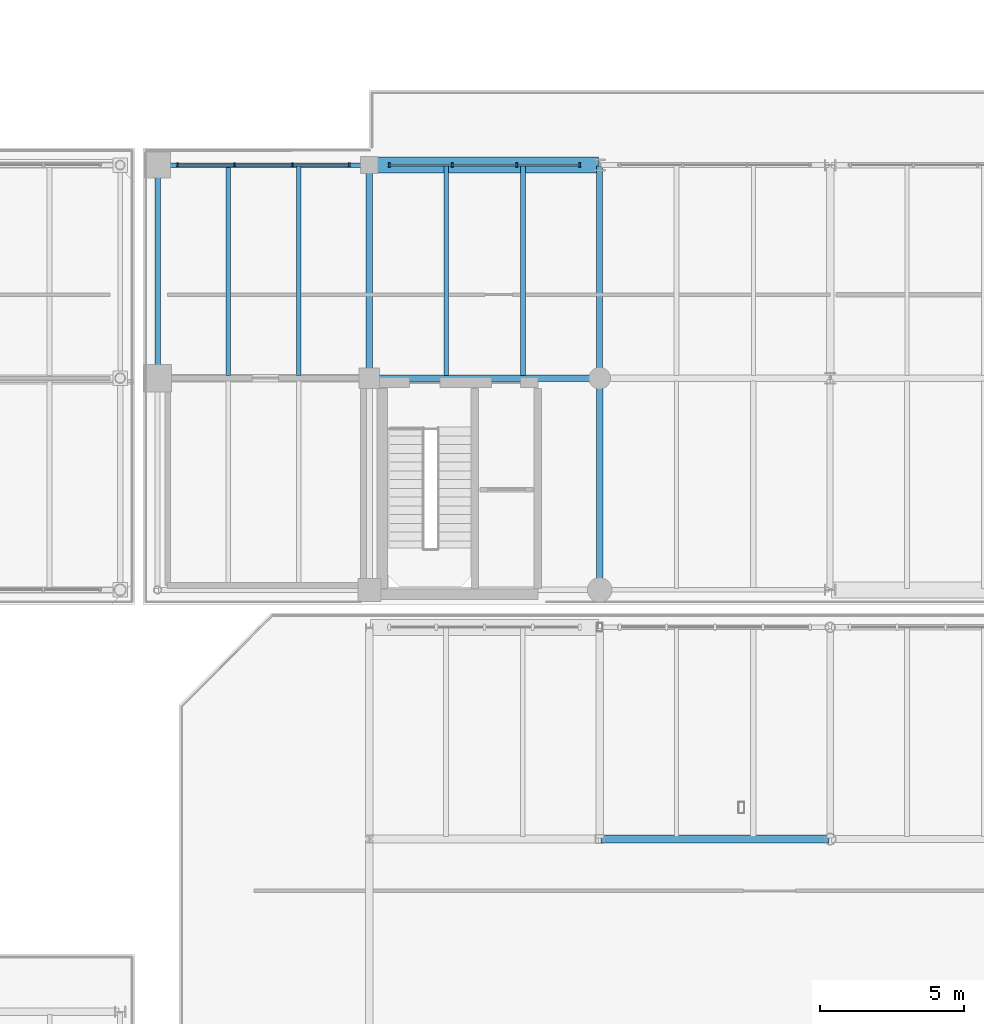
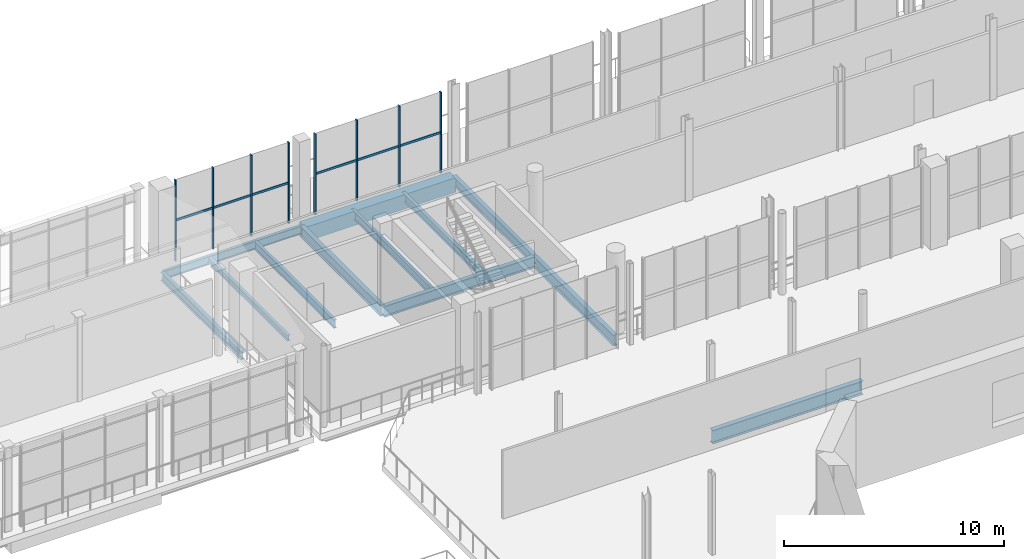
# One storey, part 47 of 93: 14 members, 12 beams, 2 elements without a shape of their own.
"""IFC4 building model written with IfcOpenShell, lengths in metres."""

import ifcopenshell
import ifcopenshell.guid

model = None  # the IFC model being written
_history = None  # IfcOwnerHistory: only IFC2X3 demands one
_inside = {}  # id of a spatial element -> (the spatial element, [elements in it])
_under = {}  # id of a project, library or spatial element -> (it, [spatial elements below it])
_declared = {}  # id of a project -> (the project, [libraries it declares])
_typed = {}  # id of a type object -> (the type object, [elements of that type])
_made_of = {}  # id of a material, layer set ... -> (it, [elements and type objects made of it])


def new_model(schema):
    """Start an empty IFC model of exactly this schema.

    Asked for "IFC4X3", IfcOpenShell would pick the latest addendum, in which some entities
    have other attributes; the version numbers below select the first issue.
    IFC2X3 requires an IfcOwnerHistory on every rooted entity: one is made here for all.
    """
    global model, _history
    if schema == "IFC4X3":
        model = ifcopenshell.file(schema_version=(4, 3, 0, 0))
    else:
        model = ifcopenshell.file(schema=schema)
    _inside.clear()
    _under.clear()
    _declared.clear()
    _typed.clear()
    _made_of.clear()
    _history = None
    if model.schema == "IFC2X3":
        org = make("IfcOrganization", Name="unknown")
        user = make(
            "IfcPersonAndOrganization",
            ThePerson=make("IfcPerson", FamilyName="unknown"),
            TheOrganization=org,
        )
        app = make(
            "IfcApplication",
            ApplicationDeveloper=org,
            Version="unknown",
            ApplicationFullName="unknown",
            ApplicationIdentifier="unknown",
        )
        _history = make(
            "IfcOwnerHistory",
            OwningUser=user,
            OwningApplication=app,
            ChangeAction="ADDED",
            CreationDate=0,
        )
    return model


def make(cls, **values):
    """One entity of the class cls with the attributes given. An attribute that is None is left unset."""
    return model.create_entity(
        cls, **{name: value for name, value in values.items() if value is not None}
    )


def rooted(cls, **values):
    """An entity with a GlobalId (a new one), such as an element, a storey or a relation."""
    return make(cls, GlobalId=ifcopenshell.guid.new(), OwnerHistory=_history, **values)


def si_unit(unit_type, name, prefix=None):
    """IfcSIUnit, for example si_unit("LENGTHUNIT", "METRE", prefix="MILLI")."""
    return make("IfcSIUnit", UnitType=unit_type, Prefix=prefix, Name=name)


def assignment(units):
    """IfcUnitAssignment: the units of a project."""
    return None if units is None else make("IfcUnitAssignment", Units=units)


def point(xyz):
    """IfcCartesianPoint."""
    return None if xyz is None else make("IfcCartesianPoint", Coordinates=xyz)


def direction(xyz):
    """IfcDirection."""
    return None if xyz is None else make("IfcDirection", DirectionRatios=xyz)


def frame(location, z_axis=None, x_axis=None):
    """IfcAxis2Placement3D, a coordinate frame: its origin and axes. An axis left out is left unset."""
    return make(
        "IfcAxis2Placement3D",
        Location=point(location),
        Axis=direction(z_axis),
        RefDirection=direction(x_axis),
    )


def frame_2d(location, x_axis=None):
    """IfcAxis2Placement2D, a coordinate frame in the plane: its origin and x axis."""
    return make(
        "IfcAxis2Placement2D", Location=point(location), RefDirection=direction(x_axis)
    )


def origin():
    """The frame at (0, 0, 0) with its axes left unset."""
    return frame((0.0, 0.0, 0.0))


def origin_2d():
    """The frame at (0, 0) in the plane with its x axis left unset."""
    return frame_2d((0.0, 0.0))


def place(relative_to, where):
    """IfcLocalPlacement: puts the frame where relative to a parent placement (None: the world)."""
    return make(
        "IfcLocalPlacement", PlacementRelTo=relative_to, RelativePlacement=where
    )


def context(
    kind, dimensions, precision=None, world=None, true_north=None, identifier=None
):
    """IfcGeometricRepresentationContext, for example the 3D "Model" context."""
    return make(
        "IfcGeometricRepresentationContext",
        ContextIdentifier=identifier,
        ContextType=kind,
        CoordinateSpaceDimension=dimensions,
        Precision=precision,
        WorldCoordinateSystem=world,
        TrueNorth=true_north,
    )


def subcontext(parent, identifier, kind, view, scale=None):
    """IfcGeometricRepresentationSubContext, for example "Body" below "Model"."""
    return make(
        "IfcGeometricRepresentationSubContext",
        ContextIdentifier=identifier,
        ContextType=kind,
        ParentContext=parent,
        TargetScale=scale,
        TargetView=view,
    )


def project(units=None, contexts=None):
    """IfcProject with its units and contexts."""
    return rooted(
        "IfcProject",
        Name="project",
        RepresentationContexts=contexts,
        UnitsInContext=assignment(units),
    )


def spatial(cls, under=None, at=None, **own):
    """A site, building, storey or space (cls), placed at a placement, below another one or the project."""
    s = rooted(cls, ObjectPlacement=at, **own)
    if under is not None:
        _under.setdefault(under.id(), (under, []))[1].append(s)
    return s


def profile(cls, at=None, kind="AREA", **sizes):
    """A parametric profile (cls). Its sizes go by their IFC names, for example OverallWidth=200.0."""
    return make(cls, ProfileType=kind, Position=at, **sizes)


def rectangle(**sizes):
    """IfcRectangleProfileDef."""
    return profile("IfcRectangleProfileDef", **sizes)


def i_section(**sizes):
    """IfcIShapeProfileDef."""
    return profile("IfcIShapeProfileDef", **sizes)


def extrude(swept, where, along, depth):
    """IfcExtrudedAreaSolid: the profile swept, set in the frame where, extruded along a direction by depth."""
    return make(
        "IfcExtrudedAreaSolid",
        SweptArea=swept,
        Position=where,
        ExtrudedDirection=direction(along),
        Depth=depth,
    )


def shape(context_of_items, identifier, shape_type, items):
    """IfcShapeRepresentation: the items that make up one representation, for example the "Body"."""
    return make(
        "IfcShapeRepresentation",
        ContextOfItems=context_of_items,
        RepresentationIdentifier=identifier,
        RepresentationType=shape_type,
        Items=items,
    )


def material(Name=None, Category=None):
    """IfcMaterial."""
    return make("IfcMaterial", Name=Name, Category=Category)


def material_profile(
    of_material, cross_section, Name=None, Category=None, Priority=None
):
    """IfcMaterialProfile: a cross section and its material."""
    return make(
        "IfcMaterialProfile",
        Name=Name,
        Material=of_material,
        Profile=cross_section,
        Priority=Priority,
        Category=Category,
    )


def profile_set(profiles, Name=None, composite=None):
    """IfcMaterialProfileSet."""
    return make(
        "IfcMaterialProfileSet",
        Name=Name,
        MaterialProfiles=profiles,
        CompositeProfile=composite,
    )


def made_of(thing, what):
    """Note that an element or type object is made of a material, layer set ...; save() writes the relation."""
    if what is not None:
        _made_of.setdefault(what.id(), (what, []))[1].append(thing)
    return thing


def type_object(cls, material=None, **own):
    """A type object (cls), such as IfcWallType, which elements share."""
    return made_of(rooted(cls, **own), material)


def element(
    cls,
    number,
    at=None,
    inside=None,
    cuts=None,
    type_object=None,
    material=None,
    context=None,
    identifier="Body",
    shape_type=None,
    held_by="IfcProductDefinitionShape",
    body=None,
    shapes=None,
    **own,
):
    """One element of the class cls, such as IfcWall. Its Tag is "e" and its number.

    at: its placement. inside: the storey or other place that contains it. cuts: it is an
    opening in that element (IfcRelVoidsElement). A single representation is given by context,
    identifier, shape_type and body (its items); several are given by shapes. held_by: the class
    of the entity that holds the representations. save() writes the other relations.
    """
    e = rooted(cls, Tag="e%d" % number, ObjectPlacement=at, **own)
    if body is not None:
        shapes = [shape(context, identifier, shape_type, body)]
    if shapes is not None:
        e.Representation = make(held_by, Representations=shapes)
    if inside is not None:
        _inside.setdefault(inside.id(), (inside, []))[1].append(e)
    if cuts is not None:
        rooted(
            "IfcRelVoidsElement", RelatingBuildingElement=cuts, RelatedOpeningElement=e
        )
    if type_object is not None:
        _typed.setdefault(type_object.id(), (type_object, []))[1].append(e)
    return made_of(e, material)


def aggregate(whole, parts):
    """IfcRelAggregates: a whole, such as a stair, and the parts it consists of."""
    return rooted("IfcRelAggregates", RelatingObject=whole, RelatedObjects=parts)


def save(model, path):
    """Write the relations noted so far, then the file.

    IfcRelAggregates (storeys below a building ...), IfcRelContainedInSpatialStructure (elements
    in a storey), IfcRelDefinesByType, IfcRelAssociatesMaterial and IfcRelDeclares: one each for
    every whole, place, type object, material and project.
    """
    for whole, parts in _under.values():
        aggregate(whole, parts)
    for where, things in _inside.values():
        rooted(
            "IfcRelContainedInSpatialStructure",
            RelatedElements=things,
            RelatingStructure=where,
        )
    for kind, things in _typed.values():
        rooted("IfcRelDefinesByType", RelatedObjects=things, RelatingType=kind)
    for what, things in _made_of.values():
        rooted("IfcRelAssociatesMaterial", RelatedObjects=things, RelatingMaterial=what)
    for by, libraries in _declared.values():
        rooted("IfcRelDeclares", RelatingContext=by, RelatedDefinitions=libraries)
    model.write(path)


model = new_model("IFC4")

# Units and contexts
model_context = context("Model", 3, precision=1e-05, world=origin(), true_north=direction((0.0, 1.0)))
body_context = subcontext(model_context, "Body", "Model", "MODEL_VIEW")
ifc_project = project(units=[si_unit("LENGTHUNIT", "METRE"), si_unit("AREAUNIT", "SQUARE_METRE"), si_unit("VOLUMEUNIT", "CUBIC_METRE"), si_unit("PLANEANGLEUNIT", "RADIAN"), si_unit("MASSUNIT", "GRAM", prefix="KILO")], contexts=[model_context])

# Site, building, storey
site_placement = place(None, origin())
site = spatial("IfcSite", under=ifc_project, at=site_placement, CompositionType="ELEMENT")
building_placement = place(site_placement, origin())
building = spatial("IfcBuilding", under=site, at=building_placement, Name="Brisemont Oceanarium", CompositionType="ELEMENT")
storey_placement = place(building_placement, frame((0.0, 0.0, 5.39990234375)))
storey = spatial("IfcBuildingStorey", under=building, at=storey_placement, Name="L01", CompositionType="ELEMENT", Elevation=5.39990234375)

# Beams
ifc_material_1 = material(Name="Concrete C40/50", Category="concrete")
ifc_material_profile_1 = material_profile(ifc_material_1, rectangle(XDim=0.550048828125, YDim=0.800048828125, at=origin_2d()), Name="RC-BM-550X800")
ifc_profile_set_1 = profile_set([ifc_material_profile_1], Name="Concrete C40/50")
beam_type_1 = type_object("IfcBeamType", Name="BM-RC550X800", PredefinedType="SPANDREL", material=ifc_profile_set_1)
beam_1_placement = place(storey_placement, frame((64.0400390625, 95.39990234375, -0.739990234375), z_axis=(1.0, 0.0, 0.0), x_axis=(0.0, 1.0, 0.0)))
element("IfcBeam", 1, at=beam_1_placement, inside=storey, type_object=beam_type_1, Name="V7E L01 EW girder", PredefinedType="SPANDREL", context=body_context, shape_type="SweptSolid", body=[
    extrude(rectangle(XDim=0.550048828125, YDim=0.800048828125, at=origin_2d()), origin(), (0.0, 0.0, 1.0), 7.919921875),
])
ifc_material_2 = material(Name="Structural Steel ASTM A992 Gr.50", Category="steel")
ifc_material_profile_2 = material_profile(ifc_material_2, i_section(OverallWidth=0.1650390625, OverallDepth=0.31005859375, WebThickness=0.005859375, FlangeThickness=0.009765625, FilletRadius=0.008056640625, at=origin_2d()), Name="W12X26")
ifc_profile_set_2 = profile_set([ifc_material_profile_2], Name="Structural Steel ASTM A992 Gr.50")
beam_type_2 = type_object("IfcBeamType", Name="BM-W12X26", PredefinedType="JOIST", material=ifc_profile_set_2)
beam_2_placement = place(storey_placement, frame((59.10009765625, 88.090087890625, -0.494873046875), z_axis=(0.0, 1.0, 0.0), x_axis=(-1.0, 0.0, 0.0)))
element("IfcBeam", 2, at=beam_2_placement, inside=storey, type_object=beam_type_2, Name="V7E L01 secondary floor beam", PredefinedType="JOIST", context=body_context, shape_type="SweptSolid", body=[
    extrude(i_section(OverallWidth=0.1650390625, OverallDepth=0.31005859375, WebThickness=0.005859375, FlangeThickness=0.009765625, FilletRadius=0.008056640625, at=origin_2d()), origin(), (0.0, 0.0, 1.0), 7.27001953125),
])
ifc_material_3 = material(Name="Structural Steel ASTM A992 Gr.50", Category="steel")
ifc_material_profile_3 = material_profile(ifc_material_3, i_section(OverallWidth=0.177978515625, OverallDepth=0.404052734375, WebThickness=0.007568359375, FlangeThickness=0.010986328125, FilletRadius=0.010009765625, at=origin_2d()), Name="W16X36")
ifc_profile_set_3 = profile_set([ifc_material_profile_3], Name="Structural Steel ASTM A992 Gr.50")
beam_type_3 = type_object("IfcBeamType", Name="BM-W16X36", PredefinedType="JOIST", material=ifc_profile_set_3)
beam_3_placement = place(storey_placement, frame((69.333251953125, 88.090087890625, -0.5419921875), z_axis=(0.0, 1.0, 0.0), x_axis=(-1.0, 0.0, 0.0)))
element("IfcBeam", 3, at=beam_3_placement, inside=storey, type_object=beam_type_3, Name="V7E L01 secondary floor beam", PredefinedType="JOIST", context=body_context, shape_type="SweptSolid", body=[
    extrude(i_section(OverallWidth=0.177978515625, OverallDepth=0.404052734375, WebThickness=0.007568359375, FlangeThickness=0.010986328125, FilletRadius=0.010009765625, at=origin_2d()), origin(), (0.0, 0.0, 1.0), 7.27001953125),
])
ifc_material_4 = material(Name="Structural Steel ASTM A992 Gr.50", Category="steel")
ifc_material_profile_4 = material_profile(ifc_material_4, i_section(OverallWidth=0.153076171875, OverallDepth=0.455078125, WebThickness=0.008056640625, FlangeThickness=0.01318359375, FilletRadius=0.010986328125, at=origin_2d()), Name="W18X40")
ifc_profile_set_4 = profile_set([ifc_material_profile_4], Name="Structural Steel ASTM A992 Gr.50")
beam_type_4 = type_object("IfcBeamType", Name="BM-W18X40", PredefinedType="JOIST", material=ifc_profile_set_4)
for number, where, z_axis, x_axis, name in (
    (4, (61.550048828125, 88.090087890625, -0.5673828125), (0.0, 1.0, 0.0), (-1.0, 0.0, 0.0), "V7E L01 secondary floor beam"),
    (5, (66.666748046875, 88.090087890625, -0.5673828125), (0.0, 1.0, 0.0), (-1.0, 0.0, 0.0), "V7E L01 secondary floor beam"),
):
    element("IfcBeam", number, at=place(storey_placement, frame(where, z_axis=z_axis, x_axis=x_axis)), inside=storey, type_object=beam_type_4, Name=name, PredefinedType="JOIST", context=body_context, shape_type="SweptSolid", body=[
        extrude(i_section(OverallWidth=0.153076171875, OverallDepth=0.455078125, WebThickness=0.008056640625, FlangeThickness=0.01318359375, FilletRadius=0.010986328125, at=origin_2d()), origin(), (0.0, 0.0, 1.0), 7.27001953125),
    ])
ifc_material_5 = material(Name="Structural Steel ASTM A992 Gr.50", Category="steel")
ifc_material_profile_5 = material_profile(ifc_material_5, i_section(OverallWidth=0.154052734375, OverallDepth=0.458984375, WebThickness=0.009033203125, FlangeThickness=0.015380859375, FilletRadius=0.010986328125, at=origin_2d()), Name="W18X46")
ifc_profile_set_5 = profile_set([ifc_material_profile_5], Name="Structural Steel ASTM A992 Gr.50")
beam_type_5 = type_object("IfcBeamType", Name="BM-W18X46", PredefinedType="SPANDREL", material=ifc_profile_set_5)
beam_4_placement = place(storey_placement, frame((56.68994140625, 95.39990234375, -0.5693359375), z_axis=(1.0, 0.0, 0.0), x_axis=(0.0, 1.0, 0.0)))
element("IfcBeam", 6, at=beam_4_placement, inside=storey, type_object=beam_type_5, Name="V7E L01 EW girder", PredefinedType="SPANDREL", context=body_context, shape_type="SweptSolid", body=[
    extrude(i_section(OverallWidth=0.154052734375, OverallDepth=0.458984375, WebThickness=0.009033203125, FlangeThickness=0.015380859375, FilletRadius=0.010986328125, at=origin_2d()), origin(), (0.0, 0.0, 1.0), 7.27001953125),
])
ifc_material_6 = material(Name="Structural Steel ASTM A992 Gr.50", Category="steel")
ifc_material_profile_6 = material_profile(ifc_material_6, i_section(OverallWidth=0.19091796875, OverallDepth=0.4599609375, WebThickness=0.010009765625, FlangeThickness=0.01611328125, FilletRadius=0.010986328125, at=origin_2d()), Name="W18X55")
ifc_profile_set_6 = profile_set([ifc_material_profile_6], Name="Structural Steel ASTM A992 Gr.50")
beam_type_6 = type_object("IfcBeamType", Name="BM-W18X55", PredefinedType="SPANDREL", material=ifc_profile_set_6)
beam_5_placement = place(storey_placement, frame((56.64990234375, 88.0400390625, -0.56982421875), z_axis=(0.0, 1.0, 0.0), x_axis=(-1.0, 0.0, 0.0)))
element("IfcBeam", 7, at=beam_5_placement, inside=storey, type_object=beam_type_6, Name="V7E L01 NS girder", PredefinedType="SPANDREL", context=body_context, shape_type="SweptSolid", body=[
    extrude(i_section(OverallWidth=0.19091796875, OverallDepth=0.4599609375, WebThickness=0.010009765625, FlangeThickness=0.01611328125, FilletRadius=0.010986328125, at=origin_2d()), origin(), (0.0, 0.0, 1.0), 7.320068359375),
])
ifc_material_7 = material(Name="Structural Steel ASTM A992 Gr.50", Category="steel")
ifc_material_profile_7 = material_profile(ifc_material_7, i_section(OverallWidth=0.2099609375, OverallDepth=0.532958984375, WebThickness=0.01025390625, FlangeThickness=0.015625, FilletRadius=0.012939453125, at=origin_2d()), Name="W21X62")
ifc_profile_set_7 = profile_set([ifc_material_profile_7], Name="Structural Steel ASTM A992 Gr.50")
beam_type_7 = type_object("IfcBeamType", Name="BM-W21X62", PredefinedType="BEAM", material=ifc_profile_set_7)
beam_6_placement = place(storey_placement, frame((72.0, 88.0400390625, -0.6064453125), z_axis=(0.0, 1.0, 0.0), x_axis=(-1.0, 0.0, 0.0)))
element("IfcBeam", 8, at=beam_6_placement, inside=storey, type_object=beam_type_7, Name="V7E L01 NS girder", PredefinedType="BEAM", context=body_context, shape_type="SweptSolid", body=[
    extrude(i_section(OverallWidth=0.2099609375, OverallDepth=0.532958984375, WebThickness=0.01025390625, FlangeThickness=0.015625, FilletRadius=0.012939453125, at=origin_2d()), origin(), (0.0, 0.0, 1.0), 7.320068359375),
])
ifc_material_8 = material(Name="Structural Steel ASTM A992 Gr.50", Category="steel")
ifc_material_profile_8 = material_profile(ifc_material_8, i_section(OverallWidth=0.22802734375, OverallDepth=0.60205078125, WebThickness=0.010498046875, FlangeThickness=0.014892578125, FilletRadius=0.012939453125, at=origin_2d()), Name="W24X68")
ifc_profile_set_8 = profile_set([ifc_material_profile_8], Name="Structural Steel ASTM A992 Gr.50")
beam_type_8 = type_object("IfcBeamType", Name="BM-W24X68", PredefinedType="BEAM", material=ifc_profile_set_8)
beam_7_placement = place(storey_placement, frame((64.0, 88.0400390625, -0.640869140625), z_axis=(0.0, 1.0, 0.0), x_axis=(-1.0, 0.0, 0.0)))
element("IfcBeam", 9, at=beam_7_placement, inside=storey, type_object=beam_type_8, Name="V7E L01 NS girder", PredefinedType="BEAM", context=body_context, shape_type="SweptSolid", body=[
    extrude(i_section(OverallWidth=0.22802734375, OverallDepth=0.60205078125, WebThickness=0.010498046875, FlangeThickness=0.014892578125, FilletRadius=0.012939453125, at=origin_2d()), origin(), (0.0, 0.0, 1.0), 7.320068359375),
])
beam_8_placement = place(storey_placement, frame((72.0, 80.68994140625, -0.640869140625), z_axis=(0.0, 1.0, 0.0), x_axis=(-1.0, 0.0, 0.0)))
element("IfcBeam", 10, at=beam_8_placement, inside=storey, type_object=beam_type_8, Name="V7E L01 NS girder", PredefinedType="BEAM", context=body_context, shape_type="SweptSolid", body=[
    extrude(i_section(OverallWidth=0.22802734375, OverallDepth=0.60205078125, WebThickness=0.010498046875, FlangeThickness=0.014892578125, FilletRadius=0.012939453125, at=origin_2d()), origin(), (0.0, 0.0, 1.0), 7.27001953125),
])
ifc_material_9 = material(Name="Structural Steel ASTM A992 Gr.50", Category="steel")
ifc_material_profile_9 = material_profile(ifc_material_9, i_section(OverallWidth=0.22900390625, OverallDepth=0.612060546875, WebThickness=0.011962890625, FlangeThickness=0.01953125, FilletRadius=0.012939453125, at=origin_2d()), Name="W24X84")
ifc_profile_set_9 = profile_set([ifc_material_profile_9], Name="Structural Steel ASTM A992 Gr.50")
beam_type_9 = type_object("IfcBeamType", Name="BM-W24X84", PredefinedType="BEAM", material=ifc_profile_set_9)
beam_9_placement = place(storey_placement, frame((64.0400390625, 88.0, -0.64599609375), z_axis=(1.0, 0.0, 0.0), x_axis=(0.0, 1.0, 0.0)))
element("IfcBeam", 11, at=beam_9_placement, inside=storey, type_object=beam_type_9, Name="V7E L01 EW girder", PredefinedType="BEAM", context=body_context, shape_type="SweptSolid", body=[
    extrude(i_section(OverallWidth=0.22900390625, OverallDepth=0.612060546875, WebThickness=0.011962890625, FlangeThickness=0.01953125, FilletRadius=0.012939453125, at=origin_2d()), origin(), (0.0, 0.0, 1.0), 7.919921875),
])
ifc_material_10 = material(Name="Structural Steel ASTM A992 Gr.50", Category="steel")
ifc_material_profile_10 = material_profile(ifc_material_10, i_section(OverallWidth=0.264892578125, OverallDepth=0.7529296875, WebThickness=0.01318359375, FlangeThickness=0.01708984375, FilletRadius=0.01611328125, at=origin_2d()), Name="W30X99")
ifc_profile_set_10 = profile_set([ifc_material_profile_10], Name="Structural Steel ASTM A992 Gr.50")
beam_type_10 = type_object("IfcBeamType", Name="BM-W30X99", PredefinedType="BEAM", material=ifc_profile_set_10)
beam_10_placement = place(storey_placement, frame((72.0400390625, 72.0, -0.71630859375), z_axis=(1.0, 0.0, 0.0), x_axis=(0.0, 1.0, 0.0)))
element("IfcBeam", 12, at=beam_10_placement, inside=storey, type_object=beam_type_10, Name="V1 L01 EW girder", PredefinedType="BEAM", context=body_context, shape_type="SweptSolid", body=[
    extrude(i_section(OverallWidth=0.264892578125, OverallDepth=0.7529296875, WebThickness=0.01318359375, FlangeThickness=0.01708984375, FilletRadius=0.01611328125, at=origin_2d()), origin(), (0.0, 0.0, 1.0), 7.919921875),
])

# Curtain wall, members
ifc_material_11 = material(Name="Anodized Extruded Aluminum 6063-T6", Category="aluminium")
curtain_wall_type = type_object("IfcCurtainWallType", Name="CW-CLR-48X34", PredefinedType="NOTDEFINED", material=ifc_material_11)
curtain_wall_1_placement = place(storey_placement, origin())
curtain_wall_1 = element("IfcCurtainWall", 13, at=curtain_wall_1_placement, inside=storey, type_object=curtain_wall_type, Name="CW-22 curtain wall CW-V7E-N-L01-01", PredefinedType="NOTDEFINED")
ifc_material_12 = material(Name="Anodized Extruded Aluminum 6063-T6", Category="aluminium")
ifc_material_profile_11 = material_profile(ifc_material_12, rectangle(XDim=0.06005859375, YDim=0.14990234375, at=origin_2d()), Name="CWM-60X150")
ifc_profile_set_11 = profile_set([ifc_material_profile_11], Name="Anodized Extruded Aluminum 6063-T6")
member_type_1 = type_object("IfcMemberType", Name="MEM-CWM-60", PredefinedType="MULLION", material=ifc_profile_set_11)
member_1_placement = place(storey_placement, frame((57.344970703125, 95.39990234375, 0.0), z_axis=(0.0, 0.0, 1.0), x_axis=(1.0, 0.0, 0.0)))
member_1 = element("IfcMember", 14, at=member_1_placement, type_object=member_type_1, Name="CW-V7E-N-L01-01 mullion 1", PredefinedType="MULLION", context=body_context, shape_type="SweptSolid", body=[
    extrude(rectangle(XDim=0.06005859375, YDim=0.14990234375, at=origin_2d()), origin(), (0.0, 0.0, 1.0), 4.5),
])
member_2_placement = place(storey_placement, frame((59.316650390625, 95.39990234375, 0.0), z_axis=(0.0, 0.0, 1.0), x_axis=(1.0, 0.0, 0.0)))
member_2 = element("IfcMember", 15, at=member_2_placement, type_object=member_type_1, Name="CW-V7E-N-L01-01 mullion 2", PredefinedType="MULLION", context=body_context, shape_type="SweptSolid", body=[
    extrude(rectangle(XDim=0.06005859375, YDim=0.14990234375, at=origin_2d()), origin(), (0.0, 0.0, 1.0), 4.5),
])
member_3_placement = place(storey_placement, frame((61.333251953125, 95.39990234375, 0.0), z_axis=(0.0, 0.0, 1.0), x_axis=(1.0, 0.0, 0.0)))
member_3 = element("IfcMember", 16, at=member_3_placement, type_object=member_type_1, Name="CW-V7E-N-L01-01 mullion 3", PredefinedType="MULLION", context=body_context, shape_type="SweptSolid", body=[
    extrude(rectangle(XDim=0.06005859375, YDim=0.14990234375, at=origin_2d()), origin(), (0.0, 0.0, 1.0), 4.5),
])
member_4_placement = place(storey_placement, frame((63.304931640625, 95.39990234375, 0.0), z_axis=(0.0, 0.0, 1.0), x_axis=(1.0, 0.0, 0.0)))
member_4 = element("IfcMember", 17, at=member_4_placement, type_object=member_type_1, Name="CW-V7E-N-L01-01 mullion 4", PredefinedType="MULLION", context=body_context, shape_type="SweptSolid", body=[
    extrude(rectangle(XDim=0.06005859375, YDim=0.14990234375, at=origin_2d()), origin(), (0.0, 0.0, 1.0), 4.5),
])

curtain_wall_2_placement = place(storey_placement, origin())
curtain_wall_2 = element("IfcCurtainWall", 18, at=curtain_wall_2_placement, inside=storey, type_object=curtain_wall_type, Name="CW-22 curtain wall CW-V7E-N-L01-02", PredefinedType="NOTDEFINED")
member_5_placement = place(storey_placement, frame((64.695068359375, 95.39990234375, 0.0), z_axis=(0.0, 0.0, 1.0), x_axis=(1.0, 0.0, 0.0)))
member_5 = element("IfcMember", 19, at=member_5_placement, type_object=member_type_1, Name="CW-V7E-N-L01-02 mullion 1", PredefinedType="MULLION", context=body_context, shape_type="SweptSolid", body=[
    extrude(rectangle(XDim=0.06005859375, YDim=0.14990234375, at=origin_2d()), origin(), (0.0, 0.0, 1.0), 4.5),
])
member_6_placement = place(storey_placement, frame((66.88330078125, 95.39990234375, 0.0), z_axis=(0.0, 0.0, 1.0), x_axis=(1.0, 0.0, 0.0)))
member_6 = element("IfcMember", 20, at=member_6_placement, type_object=member_type_1, Name="CW-V7E-N-L01-02 mullion 2", PredefinedType="MULLION", context=body_context, shape_type="SweptSolid", body=[
    extrude(rectangle(XDim=0.06005859375, YDim=0.14990234375, at=origin_2d()), origin(), (0.0, 0.0, 1.0), 4.5),
])
member_7_placement = place(storey_placement, frame((69.11669921875, 95.39990234375, 0.0), z_axis=(0.0, 0.0, 1.0), x_axis=(1.0, 0.0, 0.0)))
member_7 = element("IfcMember", 21, at=member_7_placement, type_object=member_type_1, Name="CW-V7E-N-L01-02 mullion 3", PredefinedType="MULLION", context=body_context, shape_type="SweptSolid", body=[
    extrude(rectangle(XDim=0.06005859375, YDim=0.14990234375, at=origin_2d()), origin(), (0.0, 0.0, 1.0), 4.5),
])
member_8_placement = place(storey_placement, frame((71.304931640625, 95.39990234375, 0.0), z_axis=(0.0, 0.0, 1.0), x_axis=(1.0, 0.0, 0.0)))
member_8 = element("IfcMember", 22, at=member_8_placement, type_object=member_type_1, Name="CW-V7E-N-L01-02 mullion 4", PredefinedType="MULLION", context=body_context, shape_type="SweptSolid", body=[
    extrude(rectangle(XDim=0.06005859375, YDim=0.14990234375, at=origin_2d()), origin(), (0.0, 0.0, 1.0), 4.5),
])

# Member
ifc_material_13 = material(Name="Anodized Extruded Aluminum 6063-T6", Category="aluminium")
ifc_material_profile_12 = material_profile(ifc_material_13, rectangle(XDim=0.06005859375, YDim=0.1201171875, at=origin_2d()), Name="CWT-60X120")
ifc_profile_set_12 = profile_set([ifc_material_profile_12], Name="Anodized Extruded Aluminum 6063-T6")
member_type_2 = type_object("IfcMemberType", Name="MEM-CWT-60", PredefinedType="USERDEFINED", material=ifc_profile_set_12)
member_9_placement = place(storey_placement, frame((57.31494140625, 95.39990234375, 2.25), z_axis=(1.0, 0.0, 0.0), x_axis=(0.0, 1.0, 0.0)))
member_9 = element("IfcMember", 23, at=member_9_placement, type_object=member_type_2, Name="CW-V7E-N-L01-01 transom 1.1", ObjectType="TRANSOM", PredefinedType="USERDEFINED", context=body_context, shape_type="SweptSolid", body=[
    extrude(rectangle(XDim=0.06005859375, YDim=0.1201171875, at=origin_2d()), origin(), (0.0, 0.0, 1.0), 1.98681640625),
])

member_10_placement = place(storey_placement, frame((59.331787109375, 95.39990234375, 2.25), z_axis=(1.0, 0.0, 0.0), x_axis=(0.0, 1.0, 0.0)))
member_10 = element("IfcMember", 24, at=member_10_placement, type_object=member_type_2, Name="CW-V7E-N-L01-01 transom 2.1", ObjectType="TRANSOM", PredefinedType="USERDEFINED", context=body_context, shape_type="SweptSolid", body=[
    extrude(rectangle(XDim=0.06005859375, YDim=0.1201171875, at=origin_2d()), origin(), (0.0, 0.0, 1.0), 1.986572265625),
])

member_11_placement = place(storey_placement, frame((61.348388671875, 95.39990234375, 2.25), z_axis=(1.0, 0.0, 0.0), x_axis=(0.0, 1.0, 0.0)))
member_11 = element("IfcMember", 25, at=member_11_placement, type_object=member_type_2, Name="CW-V7E-N-L01-01 transom 3.1", ObjectType="TRANSOM", PredefinedType="USERDEFINED", context=body_context, shape_type="SweptSolid", body=[
    extrude(rectangle(XDim=0.06005859375, YDim=0.1201171875, at=origin_2d()), origin(), (0.0, 0.0, 1.0), 1.986572265625),
])

aggregate(curtain_wall_1, [member_1, member_2, member_3, member_4, member_9, member_10, member_11])

member_12_placement = place(storey_placement, frame((64.6650390625, 95.39990234375, 2.25), z_axis=(1.0, 0.0, 0.0), x_axis=(0.0, 1.0, 0.0)))
member_12 = element("IfcMember", 26, at=member_12_placement, type_object=member_type_2, Name="CW-V7E-N-L01-02 transom 1.1", ObjectType="TRANSOM", PredefinedType="USERDEFINED", context=body_context, shape_type="SweptSolid", body=[
    extrude(rectangle(XDim=0.06005859375, YDim=0.1201171875, at=origin_2d()), origin(), (0.0, 0.0, 1.0), 2.203369140625),
])

member_13_placement = place(storey_placement, frame((66.898193359375, 95.39990234375, 2.25), z_axis=(1.0, 0.0, 0.0), x_axis=(0.0, 1.0, 0.0)))
member_13 = element("IfcMember", 27, at=member_13_placement, type_object=member_type_2, Name="CW-V7E-N-L01-02 transom 2.1", ObjectType="TRANSOM", PredefinedType="USERDEFINED", context=body_context, shape_type="SweptSolid", body=[
    extrude(rectangle(XDim=0.06005859375, YDim=0.1201171875, at=origin_2d()), origin(), (0.0, 0.0, 1.0), 2.20361328125),
])

member_14_placement = place(storey_placement, frame((69.131591796875, 95.39990234375, 2.25), z_axis=(1.0, 0.0, 0.0), x_axis=(0.0, 1.0, 0.0)))
member_14 = element("IfcMember", 28, at=member_14_placement, type_object=member_type_2, Name="CW-V7E-N-L01-02 transom 3.1", ObjectType="TRANSOM", PredefinedType="USERDEFINED", context=body_context, shape_type="SweptSolid", body=[
    extrude(rectangle(XDim=0.06005859375, YDim=0.1201171875, at=origin_2d()), origin(), (0.0, 0.0, 1.0), 2.203369140625),
])

aggregate(curtain_wall_2, [member_5, member_6, member_7, member_8, member_12, member_13, member_14])

save(model, "model.ifc")
